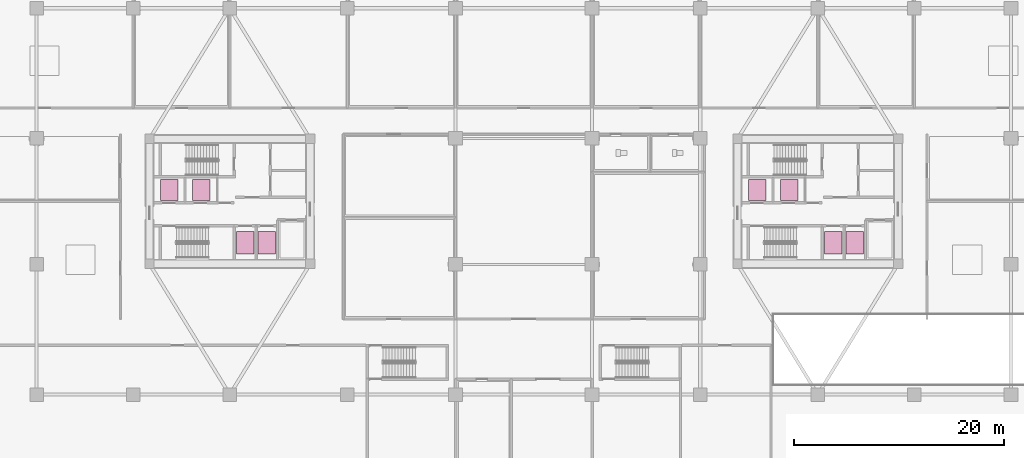
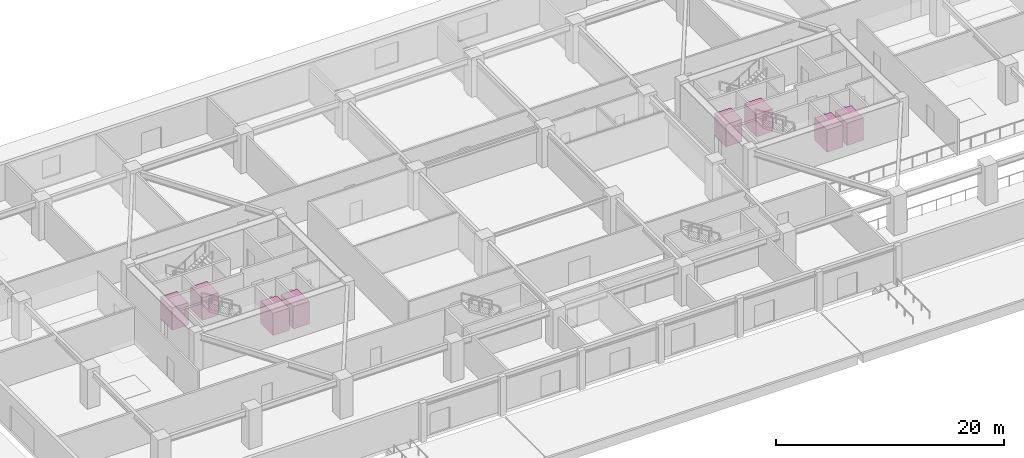
# One storey, part 22 of 22: 8 transport elements.
"""IFC4 building model written with IfcOpenShell, lengths in metres."""

from ifc_helpers import new_model, si_unit, direction, frame, origin, origin_2d, place, context, subcontext, project, spatial, rectangle, extrude, source, transform, mapped, material, type_object, type_shapes, element, save


model = new_model("IFC4")

# Units and contexts
model_context = context("Model", 3, precision=1e-05, world=origin(), true_north=direction((0.0, 1.0)))
body_context = subcontext(model_context, "Body", "Model", "MODEL_VIEW")
ifc_project = project(units=[si_unit("LENGTHUNIT", "METRE"), si_unit("AREAUNIT", "SQUARE_METRE"), si_unit("VOLUMEUNIT", "CUBIC_METRE"), si_unit("PLANEANGLEUNIT", "RADIAN"), si_unit("MASSUNIT", "GRAM", prefix="KILO")], contexts=[model_context])

# Site, building, storey
site_placement = place(None, origin())
site = spatial("IfcSite", under=ifc_project, at=site_placement, CompositionType="ELEMENT")
building_placement = place(site_placement, origin())
building = spatial("IfcBuilding", under=site, at=building_placement, Name="Norrkilde Senior Care Towers", CompositionType="ELEMENT")
storey_placement = place(building_placement, origin())
storey = spatial("IfcBuildingStorey", under=building, at=storey_placement, Name="L00", CompositionType="ELEMENT", Elevation=0.0)

# Transport elements
ifc_material = material(Name="Stainless Steel", Category="steel")
transport_element_type = type_object("IfcTransportElementType", Name="Passenger Lift Car 1650x2100", PredefinedType="ELEVATOR", material=ifc_material)
shared_shape_1 = source(origin(), body_context, "Body", "SweptSolid", [
    extrude(rectangle(XDim=1.64990234375, YDim=2.0, at=origin_2d()), origin(), (0.0, 0.0, 1.0), 2.39990234375),
])
for number, where, z_axis, x_axis, name in (
    (1, (-33.77001953125, 1.10009765625, 0.0), (0.0, 0.0, 1.0), (1.0, 0.0, 0.0), "Lift PL-W1"),
    (2, (-30.719970703125, 1.10009765625, 0.0), (0.0, 0.0, 1.0), (1.0, 0.0, 0.0), "Lift PL-W2"),
    (3, (22.22998046875, 1.10009765625, 0.0), (0.0, 0.0, 1.0), (1.0, 0.0, 0.0), "Lift PL-E1"),
    (4, (25.280029296875, 1.10009765625, 0.0), (0.0, 0.0, 1.0), (1.0, 0.0, 0.0), "Lift PL-E2"),
):
    element("IfcTransportElement", number, at=place(storey_placement, frame(where, z_axis=z_axis, x_axis=x_axis)), inside=storey, type_object=transport_element_type, Name=name, PredefinedType="ELEVATOR", context=body_context, shape_type="MappedRepresentation", body=[
        mapped(shared_shape_1, transform((0.0, 0.0, 0.0), x_axis=(1.0, 0.0, 0.0), y_axis=(0.0, 1.0, 0.0), z_axis=(0.0, 0.0, 1.0), scale=1.0)),
    ])
shared_shape_2 = source(origin(), body_context, "Body", "SweptSolid", [
    extrude(rectangle(XDim=1.64990234375, YDim=2.159912109375, at=origin_2d()), origin(), (0.0, 0.0, 1.0), 2.39990234375),
])
type_shapes(transport_element_type, [shared_shape_1, shared_shape_2])
for number, where, z_axis, x_axis, name in (
    (5, (-26.52001953125, -3.949951171875, 0.0), (0.0, 0.0, 1.0), (1.0, 0.0, 0.0), "Lift PL-W3"),
    (6, (-24.47998046875, -3.949951171875, 0.0), (0.0, 0.0, 1.0), (1.0, 0.0, 0.0), "Lift PL-W4"),
    (7, (29.47998046875, -3.949951171875, 0.0), (0.0, 0.0, 1.0), (1.0, 0.0, 0.0), "Lift PL-E3"),
    (8, (31.52001953125, -3.949951171875, 0.0), (0.0, 0.0, 1.0), (1.0, 0.0, 0.0), "Lift PL-E4"),
):
    element("IfcTransportElement", number, at=place(storey_placement, frame(where, z_axis=z_axis, x_axis=x_axis)), inside=storey, type_object=transport_element_type, Name=name, PredefinedType="ELEVATOR", context=body_context, shape_type="MappedRepresentation", body=[
        mapped(shared_shape_2, transform((0.0, 0.0, 0.0), x_axis=(1.0, 0.0, 0.0), y_axis=(0.0, 1.0, 0.0), z_axis=(0.0, 0.0, 1.0), scale=1.0)),
    ])

save(model, "model.ifc")
